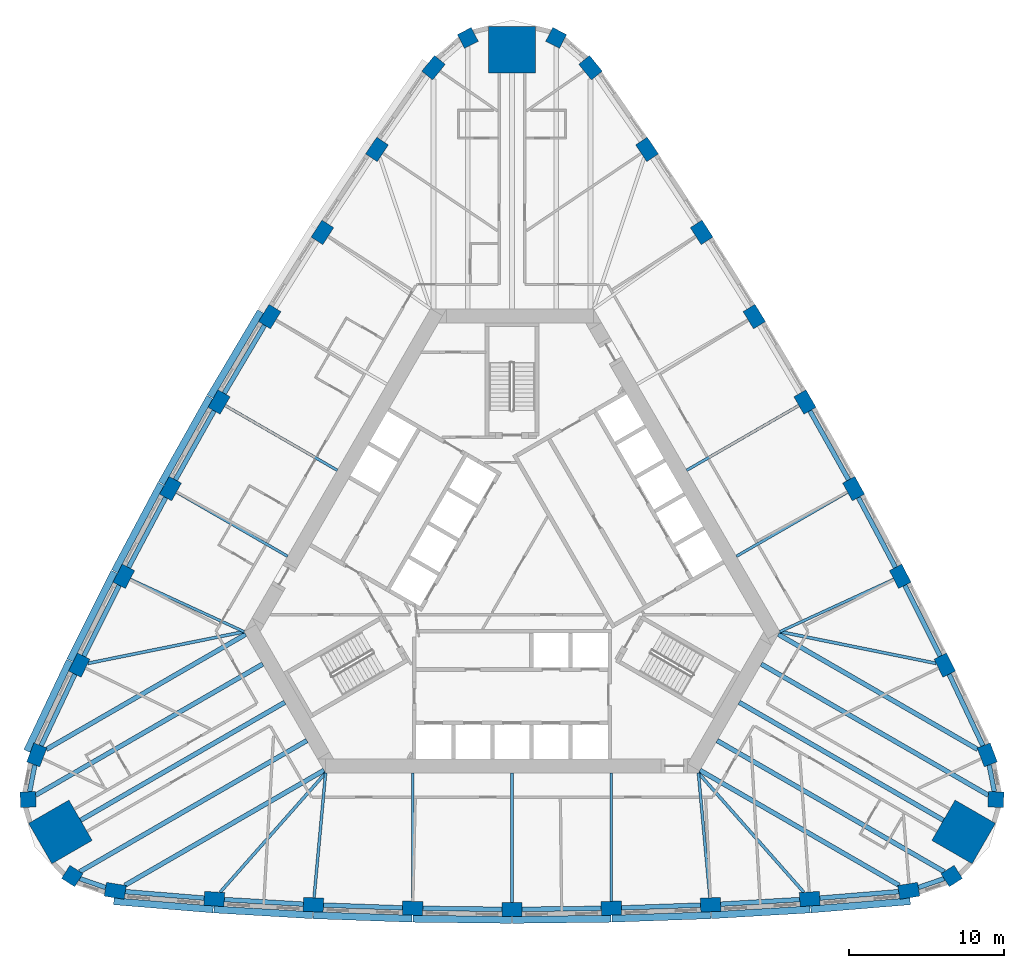
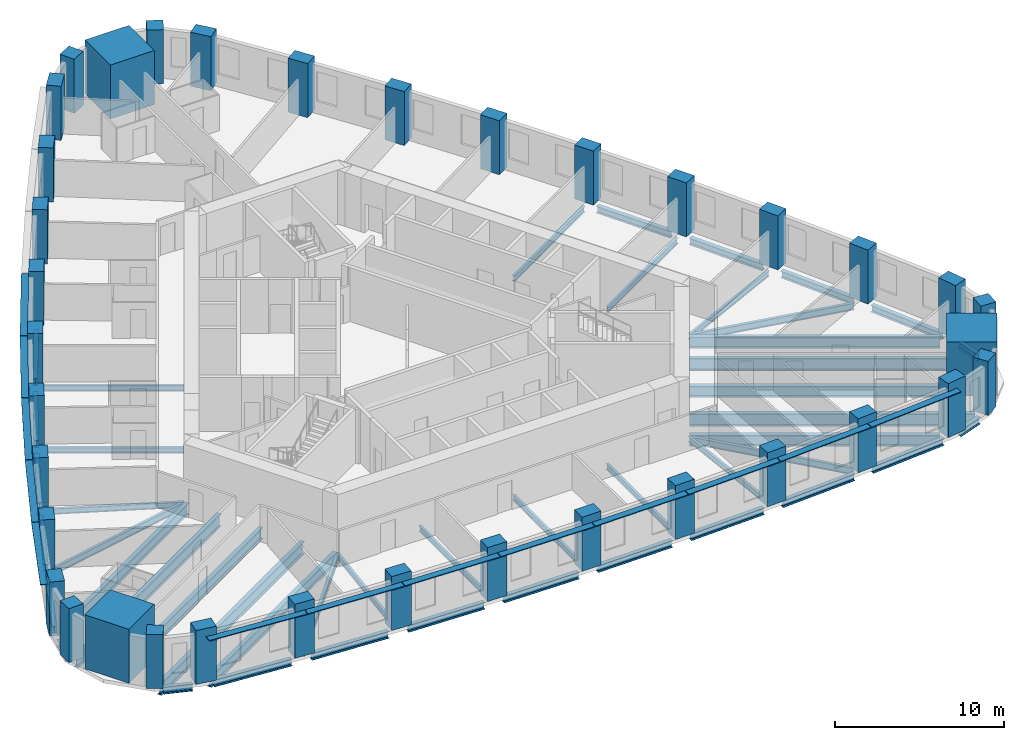
# One storey, part 1 of 12: 46 beams, 36 columns, 13 members.
"""IFC4 building model written with IfcOpenShell, lengths in metres."""

from ifc_helpers import new_model, si_unit, direction, frame, origin, origin_2d, place, context, subcontext, project, spatial, rectangle, i_section, extrude, material, material_profile, profile_set, type_object, element, save


model = new_model("IFC4")

# Units and contexts
model_context = context("Model", 3, precision=1e-05, world=origin(), true_north=direction((0.0, 1.0)))
body_context = subcontext(model_context, "Body", "Model", "MODEL_VIEW")
ifc_project = project(units=[si_unit("LENGTHUNIT", "METRE"), si_unit("AREAUNIT", "SQUARE_METRE"), si_unit("VOLUMEUNIT", "CUBIC_METRE"), si_unit("PLANEANGLEUNIT", "RADIAN"), si_unit("MASSUNIT", "GRAM", prefix="KILO")], contexts=[model_context])

# Site, building, storey
site_placement = place(None, origin())
site = spatial("IfcSite", under=ifc_project, at=site_placement, CompositionType="ELEMENT")
building_placement = place(site_placement, origin())
building = spatial("IfcBuilding", under=site, at=building_placement, Name="Mestral Congress Tower", CompositionType="ELEMENT")
storey_placement = place(building_placement, frame((0.0, 0.0, 130.5)))
storey = spatial("IfcBuildingStorey", under=building, at=storey_placement, Name="L31", CompositionType="ELEMENT", Elevation=130.5)

# Columns
ifc_material_1 = material(Name="Concrete C70/85", Category="concrete")
ifc_material_profile_1 = material_profile(ifc_material_1, rectangle(XDim=1.0, YDim=1.0, at=origin_2d()), Name="RC 1000x1000")
ifc_profile_set_1 = profile_set([ifc_material_profile_1], Name="Concrete C70/85")
column_type_1 = type_object("IfcColumnType", Name="Column RC 1000x1000 C70/85", PredefinedType="COLUMN", material=ifc_profile_set_1)
for number, where, z_axis, x_axis, name in (
    (1, (28.331298828125, -19.642822265625, 0.0), (0.0, 0.0, 1.0), (0.841700252504, 0.53994507585, 0.0), "COL-L31-C2-SE1"),
    (2, (31.1767578125, -14.714111328125, 0.0), (0.0, 0.0, 1.0), (0.046756026083, 0.998906338965, 0.0), "COL-L31-C2-SE3"),
    (3, (2.845703125, 34.35693359375, 0.0), (0.0, 0.0, 1.0), (-0.888456278587, 0.458961263115, 0.0), "COL-L31-C2-N1"),
    (4, (-2.845703125, 34.35693359375, 0.0), (0.0, 0.0, 1.0), (-0.888456278587, -0.458961263115, 0.0), "COL-L31-C2-N3"),
    (5, (-31.1767578125, -14.714111328125, 0.0), (0.0, 0.0, 1.0), (0.046756026083, -0.998906338965, 0.0), "COL-L31-C2-SW1"),
    (6, (-28.331298828125, -19.642822265625, 0.0), (0.0, 0.0, 1.0), (0.841700252504, -0.53994507585, 0.0), "COL-L31-C2-SW3"),
):
    element("IfcColumn", number, at=place(storey_placement, frame(where, z_axis=z_axis, x_axis=x_axis)), inside=storey, type_object=column_type_1, Name=name, PredefinedType="COLUMN", context=body_context, shape_type="SweptSolid", body=[
        extrude(rectangle(XDim=1.0, YDim=1.0, at=origin_2d()), origin(), (0.0, 0.0, 1.0), 3.89990234375),
    ])
ifc_material_profile_2 = material_profile(ifc_material_1, rectangle(XDim=1.300048828125, YDim=0.89990234375, at=origin_2d()), Name="RC 1300x900")
ifc_profile_set_2 = profile_set([ifc_material_profile_2], Name="Concrete C70/85")
column_type_2 = type_object("IfcColumnType", Name="Column RC 1300x900 C70/85", PredefinedType="COLUMN", material=ifc_profile_set_2)
for number, where, z_axis, x_axis, name in (
    (7, (-25.562744140625, -20.59716796875, 0.0), (0.0, 0.0, 1.0), (0.987202314361, -0.159472851987, 0.0), "COL-L31-C2-S00"),
    (8, (-19.184326171875, -21.120361328125, 0.0), (0.0, 0.0, 1.0), (0.997539884588, -0.07010120296, 0.0), "COL-L31-C2-S01"),
    (9, (-12.79541015625, -21.494384765625, 0.0), (0.0, 0.0, 1.0), (0.998906338965, -0.046756026083, 0.0), "COL-L31-C2-S02"),
    (10, (-6.3994140625, -21.71875, 0.0), (0.0, 0.0, 1.0), (0.99972656776, -0.023383535144, 0.0), "COL-L31-C2-S03"),
    (11, (0.0, -21.793701171875, 0.0), (0.0, 0.0, 1.0), (1.0, 0.0, 0.0), "COL-L31-C2-S04"),
    (12, (6.3994140625, -21.71875, 0.0), (0.0, 0.0, 1.0), (0.99972656776, 0.023383535144, 0.0), "COL-L31-C2-S05"),
    (13, (12.79541015625, -21.494384765625, 0.0), (0.0, 0.0, 1.0), (0.998906338965, 0.046756026083, 0.0), "COL-L31-C2-S06"),
    (14, (19.184326171875, -21.120361328125, 0.0), (0.0, 0.0, 1.0), (0.997539884588, 0.07010120296, 0.0), "COL-L31-C2-S07"),
    (15, (25.562744140625, -20.59716796875, 0.0), (0.0, 0.0, 1.0), (0.987202314361, 0.159472851987, 0.0), "COL-L31-C2-S08"),
    (16, (30.618896484375, -11.83935546875, 0.0), (0.0, 0.0, 1.0), (-0.355493616145, 0.934678708905, 0.0), "COL-L31-C2-E00"),
    (17, (27.8828125, -6.0537109375, 0.0), (0.0, 0.0, 1.0), (-0.438060519695, 0.898945482821, 0.0), "COL-L31-C2-E01"),
    (18, (25.01220703125, -0.333984375, 0.0), (0.0, 0.0, 1.0), (-0.458961263115, 0.888456278587, 0.0), "COL-L31-C2-E02"),
    (19, (22.0087890625, 5.3173828125, 0.0), (0.0, 0.0, 1.0), (-0.479612548415, 0.87748037209, 0.0), "COL-L31-C2-E03"),
    (20, (18.873779296875, 10.896728515625, 0.0), (0.0, 0.0, 1.0), (-0.5, 0.866025403784, 0.0), "COL-L31-C2-E04"),
    (21, (15.609375, 16.401611328125, 0.0), (0.0, 0.0, 1.0), (-0.520114019344, 0.854096836946, 0.0), "COL-L31-C2-E05"),
    (22, (12.217041015625, 21.828369140625, 0.0), (0.0, 0.0, 1.0), (-0.53994507585, 0.841700252504, 0.0), "COL-L31-C2-E06"),
    (23, (8.69873046875, 27.17431640625, 0.0), (0.0, 0.0, 1.0), (-0.559479364893, 0.828844279861, 0.0), "COL-L31-C2-E07"),
    (24, (5.056396484375, 32.4365234375, 0.0), (0.0, 0.0, 1.0), (-0.631708698215, 0.775205856918, 0.0), "COL-L31-C2-E08"),
    (25, (-5.056396484375, 32.4365234375, 0.0), (0.0, 0.0, 1.0), (-0.631708698215, -0.775205856918, 0.0), "COL-L31-C2-W00"),
    (26, (-8.69873046875, 27.17431640625, 0.0), (0.0, 0.0, 1.0), (-0.559479364893, -0.828844279861, 0.0), "COL-L31-C2-W01"),
    (27, (-12.217041015625, 21.828369140625, 0.0), (0.0, 0.0, 1.0), (-0.53994507585, -0.841700252504, 0.0), "COL-L31-C2-W02"),
    (28, (-15.609375, 16.401611328125, 0.0), (0.0, 0.0, 1.0), (-0.520114019344, -0.854096836946, 0.0), "COL-L31-C2-W03"),
    (29, (-18.873779296875, 10.896728515625, 0.0), (0.0, 0.0, 1.0), (-0.5, -0.866025403784, 0.0), "COL-L31-C2-W04"),
    (30, (-22.0087890625, 5.3173828125, 0.0), (0.0, 0.0, 1.0), (-0.479612548415, -0.87748037209, 0.0), "COL-L31-C2-W05"),
    (31, (-25.01220703125, -0.333984375, 0.0), (0.0, 0.0, 1.0), (-0.458961263115, -0.888456278587, 0.0), "COL-L31-C2-W06"),
    (32, (-27.8828125, -6.0537109375, 0.0), (0.0, 0.0, 1.0), (-0.438060519695, -0.898945482821, 0.0), "COL-L31-C2-W07"),
    (33, (-30.618896484375, -11.83935546875, 0.0), (0.0, 0.0, 1.0), (-0.355493616145, -0.934678708905, 0.0), "COL-L31-C2-W08"),
):
    element("IfcColumn", number, at=place(storey_placement, frame(where, z_axis=z_axis, x_axis=x_axis)), inside=storey, type_object=column_type_2, Name=name, PredefinedType="COLUMN", context=body_context, shape_type="SweptSolid", body=[
        extrude(rectangle(XDim=1.300048828125, YDim=0.89990234375, at=origin_2d()), origin(), (0.0, 0.0, 1.0), 3.89990234375),
    ])
ifc_material_2 = material(Name="Concrete C80/95", Category="concrete")
ifc_material_profile_3 = material_profile(ifc_material_2, rectangle(XDim=3.0, YDim=3.0, at=origin_2d()), Name="RC 3000x3000")
ifc_profile_set_3 = profile_set([ifc_material_profile_3], Name="Concrete C80/95")
column_type_3 = type_object("IfcColumnType", Name="Mega column RC 3000x3000 C80/95", PredefinedType="COLUMN", material=ifc_profile_set_3)
for number, where, z_axis, x_axis, name in (
    (34, (29.09716796875, -16.79931640625, 0.0), (0.0, 0.0, 1.0), (0.866025403784, -0.5, 0.0), "COL-L31-PY2-SE"),
    (35, (0.0, 33.598388671875, 0.0), (0.0, 0.0, 1.0), (0.0, 1.0, 0.0), "COL-L31-PY2-N"),
    (36, (-29.09716796875, -16.79931640625, 0.0), (0.0, 0.0, 1.0), (-0.866025403784, -0.5, 0.0), "COL-L31-PY2-SW"),
):
    element("IfcColumn", number, at=place(storey_placement, frame(where, z_axis=z_axis, x_axis=x_axis)), inside=storey, type_object=column_type_3, Name=name, PredefinedType="COLUMN", context=body_context, shape_type="SweptSolid", body=[
        extrude(rectangle(XDim=3.0, YDim=3.0, at=origin_2d()), origin(), (0.0, 0.0, 1.0), 3.89990234375),
    ])

# Members
ifc_material_3 = material(Name="Glazed ceramic", Category="masonry")
ifc_material_profile_4 = material_profile(ifc_material_3, rectangle(XDim=0.449951171875, YDim=0.06005859375, at=origin_2d()), Name="Ceramic blade 450 x 60")
ifc_profile_set_4 = profile_set([ifc_material_profile_4], Name="Glazed ceramic")
member_type = type_object("IfcMemberType", Name="Facade sunshade blade 450 x 60", PredefinedType="USERDEFINED", material=ifc_profile_set_4)
member_1_placement = place(storey_placement, frame((-25.654296875, -21.266845703125, 3.280029296875), z_axis=(0.996650616323, -0.081777435656, 0.0), x_axis=(0.081777435656, 0.996650616323, 0.0)))
element("IfcMember", 37, at=member_1_placement, inside=storey, type_object=member_type, Name="Sunshade F0-00", ObjectType="SUNSHADE", PredefinedType="USERDEFINED", context=body_context, shape_type="SweptSolid", body=[
    extrude(rectangle(XDim=0.449951171875, YDim=0.06005859375, at=origin_2d()), origin(), (0.0, 0.0, 1.0), 6.421630859375),
])
for number, where, z_axis, x_axis, name in (
    (38, (-19.208984375, -21.795166015625, 3.280029296875), (0.998292825409, -0.05840748871, 0.0), (0.05840748871, 0.998292825409, 0.0), "Sunshade F0-01"),
    (39, (-12.80419921875, -22.16943359375, 3.280029296875), (0.999384970229, -0.035066811664, 0.0), (0.035066811664, 0.999384970229, 0.0), "Sunshade F0-02"),
    (40, (-6.392578125, -22.393798828125, 3.280029296875), (0.999931231966, -0.011727375608, 0.0), (0.011727375608, 0.999931231966, 0.0), "Sunshade F0-03"),
    (41, (0.022705078125, -22.468505859375, 3.280029296875), (0.999931231966, 0.011727375608, 0.0), (-0.011727375608, 0.999931231966, 0.0), "Sunshade F0-04"),
    (42, (6.437744140625, -22.392822265625, 3.280029296875), (0.999384970229, 0.035066811664, 0.0), (-0.035066811664, 0.999384970229, 0.0), "Sunshade F0-05"),
    (43, (12.849609375, -22.167236328125, 3.280029296875), (0.998292825409, 0.05840748871, 0.0), (-0.05840748871, 0.998292825409, 0.0), "Sunshade F0-06"),
):
    element("IfcMember", number, at=place(storey_placement, frame(where, z_axis=z_axis, x_axis=x_axis)), inside=storey, type_object=member_type, Name=name, ObjectType="SUNSHADE", PredefinedType="USERDEFINED", context=body_context, shape_type="SweptSolid", body=[
        extrude(rectangle(XDim=0.449951171875, YDim=0.06005859375, at=origin_2d()), origin(), (0.0, 0.0, 1.0), 6.370361328125),
    ])
member_2_placement = place(storey_placement, frame((19.254150390625, -21.7919921875, 3.280029296875), z_axis=(0.996650616323, 0.081777435656, 0.0), x_axis=(-0.081777435656, 0.996650616323, 0.0)))
element("IfcMember", 44, at=member_2_placement, inside=storey, type_object=member_type, Name="Sunshade F0-07", ObjectType="SUNSHADE", PredefinedType="USERDEFINED", context=body_context, shape_type="SweptSolid", body=[
    extrude(rectangle(XDim=0.449951171875, YDim=0.06005859375, at=origin_2d()), origin(), (0.0, 0.0, 1.0), 6.421630859375),
])
for number, where, z_axis, x_axis, name in (
    (45, (-16.197509765625, 16.733154296875, 3.280029296875), (-0.510098606231, -0.86011592935, 0.0), (0.86011592935, -0.510098606231, 0.0), "Sunshade F2-03"),
    (46, (-19.469482421875, 11.214599609375, 3.280029296875), (-0.489860886888, -0.871800614531, 0.0), (0.871800614531, -0.489860886888, 0.0), "Sunshade F2-04"),
    (47, (-22.61181640625, 5.62109375, 3.280029296875), (-0.469318672425, -0.883028869128, 0.0), (0.883028869128, -0.469318672425, 0.0), "Sunshade F2-05"),
):
    element("IfcMember", number, at=place(storey_placement, frame(where, z_axis=z_axis, x_axis=x_axis)), inside=storey, type_object=member_type, Name=name, ObjectType="SUNSHADE", PredefinedType="USERDEFINED", context=body_context, shape_type="SweptSolid", body=[
        extrude(rectangle(XDim=0.449951171875, YDim=0.06005859375, at=origin_2d()), origin(), (0.0, 0.0, 1.0), 6.370361328125),
    ])
member_3_placement = place(storey_placement, frame((-25.622314453125, -0.04443359375, 3.280029296875), z_axis=(-0.448531530965, -0.893767008638, 0.0), x_axis=(0.893767008638, -0.448531530965, 0.0)))
element("IfcMember", 48, at=member_3_placement, inside=storey, type_object=member_type, Name="Sunshade F2-06", ObjectType="SUNSHADE", PredefinedType="USERDEFINED", context=body_context, shape_type="SweptSolid", body=[
    extrude(rectangle(XDim=0.449951171875, YDim=0.06005859375, at=origin_2d()), origin(), (0.0, 0.0, 1.0), 6.3701171875),
])
member_4_placement = place(storey_placement, frame((-28.49951171875, -5.778564453125, 3.280029296875), z_axis=(-0.427519164001, -0.904006285604, 0.0), x_axis=(0.904006285604, -0.427519164001, 0.0)))
element("IfcMember", 49, at=member_4_placement, inside=storey, type_object=member_type, Name="Sunshade F2-07", ObjectType="SUNSHADE", PredefinedType="USERDEFINED", context=body_context, shape_type="SweptSolid", body=[
    extrude(rectangle(XDim=0.449951171875, YDim=0.06005859375, at=origin_2d()), origin(), (0.0, 0.0, 1.0), 6.421630859375),
])

# Beams
ifc_material_4 = material(Name="Steel S355", Category="steel")
ifc_material_profile_5 = material_profile(ifc_material_4, i_section(OverallWidth=0.300048828125, OverallDepth=0.800048828125, WebThickness=0.017578125, FlangeThickness=0.032958984375, FilletRadius=0.030029296875, at=origin_2d()), Name="HEB 800")
ifc_profile_set_5 = profile_set([ifc_material_profile_5], Name="Steel S355")
beam_type_1 = type_object("IfcBeamType", Name="Floor beam HEB 800 S355", PredefinedType="BEAM", material=ifc_profile_set_5)
for number, where, z_axis, x_axis, name in (
    (50, (-24.94580078125, -20.240966796875, -0.64990234375), (0.866025146382, 0.500000445834, 0.0), (-0.500000445834, 0.866025146382, 0.0), "BM-L31-RB2-S00"),
    (51, (24.94580078125, -20.240966796875, -0.64990234375), (-0.866025146382, 0.500000445834, 0.0), (-0.500000445834, -0.866025146382, 0.0), "BM-L31-RB2-S08"),
):
    element("IfcBeam", number, at=place(storey_placement, frame(where, z_axis=z_axis, x_axis=x_axis)), inside=storey, type_object=beam_type_1, Name=name, PredefinedType="BEAM", context=body_context, shape_type="SweptSolid", body=[
        extrude(i_section(OverallWidth=0.300048828125, OverallDepth=0.800048828125, WebThickness=0.017578125, FlangeThickness=0.032958984375, FilletRadius=0.030029296875, at=origin_2d()), origin(), (0.0, 0.0, 1.0), 14.82421875),
    ])
beam_1_placement = place(storey_placement, frame((27.798095703125, -16.04931640625, -0.64990234375), z_axis=(-0.866023213189, 0.500003794204, 0.0), x_axis=(-0.500003794204, -0.866023213189, 0.0)))
element("IfcBeam", 52, at=beam_1_placement, inside=storey, type_object=beam_type_1, Name="BM-L31-RB2-SE", PredefinedType="BEAM", context=body_context, shape_type="SweptSolid", body=[
    extrude(i_section(OverallWidth=0.300048828125, OverallDepth=0.800048828125, WebThickness=0.017578125, FlangeThickness=0.032958984375, FilletRadius=0.030029296875, at=origin_2d()), origin(), (0.0, 0.0, 1.0), 15.19873046875),
])
for number, where, z_axis, x_axis, name in (
    (53, (30.002197265625, -11.483154296875, -0.64990234375), (-0.866025146382, 0.500000445834, 0.0), (-0.500000445834, -0.866025146382, 0.0), "BM-L31-RB2-E00"),
    (54, (-30.002197265625, -11.483154296875, -0.64990234375), (0.866025146382, 0.500000445834, 0.0), (-0.500000445834, 0.866025146382, 0.0), "BM-L31-RB2-W08"),
):
    element("IfcBeam", number, at=place(storey_placement, frame(where, z_axis=z_axis, x_axis=x_axis)), inside=storey, type_object=beam_type_1, Name=name, PredefinedType="BEAM", context=body_context, shape_type="SweptSolid", body=[
        extrude(i_section(OverallWidth=0.300048828125, OverallDepth=0.800048828125, WebThickness=0.017578125, FlangeThickness=0.032958984375, FilletRadius=0.030029296875, at=origin_2d()), origin(), (0.0, 0.0, 1.0), 14.82421875),
    ])
beam_2_placement = place(storey_placement, frame((-27.798095703125, -16.04931640625, -0.64990234375), z_axis=(0.866023213189, 0.500003794204, 0.0), x_axis=(-0.500003794204, 0.866023213189, 0.0)))
element("IfcBeam", 55, at=beam_2_placement, inside=storey, type_object=beam_type_1, Name="BM-L31-RB2-SW", PredefinedType="BEAM", context=body_context, shape_type="SweptSolid", body=[
    extrude(i_section(OverallWidth=0.300048828125, OverallDepth=0.800048828125, WebThickness=0.017578125, FlangeThickness=0.032958984375, FilletRadius=0.030029296875, at=origin_2d()), origin(), (0.0, 0.0, 1.0), 15.19873046875),
])
ifc_material_profile_6 = material_profile(ifc_material_4, i_section(OverallWidth=0.300048828125, OverallDepth=0.89990234375, WebThickness=0.0185546875, FlangeThickness=0.034912109375, FilletRadius=0.030029296875, at=origin_2d()), Name="HEB 900")
ifc_profile_set_6 = profile_set([ifc_material_profile_6], Name="Steel S355")
beam_type_2 = type_object("IfcBeamType", Name="Floor beam HEB 900 S355", PredefinedType="BEAM", material=ifc_profile_set_6)
beam_3_placement = place(storey_placement, frame((27.84375, -19.361328125, -0.699951171875), z_axis=(-0.866024587677, 0.500001413537, 0.0), x_axis=(-0.500001413537, -0.866024587677, 0.0)))
element("IfcBeam", 56, at=beam_3_placement, inside=storey, type_object=beam_type_2, Name="BM-L31-RB2-SE1", PredefinedType="BEAM", context=body_context, shape_type="SweptSolid", body=[
    extrude(i_section(OverallWidth=0.300048828125, OverallDepth=0.89990234375, WebThickness=0.0185546875, FlangeThickness=0.034912109375, FilletRadius=0.030029296875, at=origin_2d()), origin(), (0.0, 0.0, 1.0), 16.89404296875),
])
for number, where, z_axis, x_axis, name in (
    (57, (30.689453125, -14.4326171875, -0.699951171875), (-0.866028200461, 0.499995155983, 0.0), (-0.499995155983, -0.866028200461, 0.0), "BM-L31-RB2-SE3"),
    (58, (-30.689453125, -14.4326171875, -0.699951171875), (0.866028200461, 0.499995155983, 0.0), (-0.499995155983, 0.866028200461, 0.0), "BM-L31-RB2-SW1"),
):
    element("IfcBeam", number, at=place(storey_placement, frame(where, z_axis=z_axis, x_axis=x_axis)), inside=storey, type_object=beam_type_2, Name=name, PredefinedType="BEAM", context=body_context, shape_type="SweptSolid", body=[
        extrude(i_section(OverallWidth=0.300048828125, OverallDepth=0.89990234375, WebThickness=0.0185546875, FlangeThickness=0.034912109375, FilletRadius=0.030029296875, at=origin_2d()), origin(), (0.0, 0.0, 1.0), 16.894287109375),
    ])
beam_4_placement = place(storey_placement, frame((-27.84375, -19.361328125, -0.699951171875), z_axis=(0.866024587677, 0.500001413537, 0.0), x_axis=(-0.500001413537, 0.866024587677, 0.0)))
element("IfcBeam", 59, at=beam_4_placement, inside=storey, type_object=beam_type_2, Name="BM-L31-RB2-SW3", PredefinedType="BEAM", context=body_context, shape_type="SweptSolid", body=[
    extrude(i_section(OverallWidth=0.300048828125, OverallDepth=0.89990234375, WebThickness=0.0185546875, FlangeThickness=0.034912109375, FilletRadius=0.030029296875, at=origin_2d()), origin(), (0.0, 0.0, 1.0), 16.89404296875),
])
ifc_material_profile_7 = material_profile(ifc_material_4, i_section(OverallWidth=0.179931640625, OverallDepth=0.39990234375, WebThickness=0.008544921875, FlangeThickness=0.013427734375, FilletRadius=0.02099609375, at=origin_2d()), Name="IPE 400")
ifc_profile_set_7 = profile_set([ifc_material_profile_7], Name="Steel S355")
beam_type_3 = type_object("IfcBeamType", Name="Floor beam IPE 400 S355", PredefinedType="BEAM", material=ifc_profile_set_7)
beam_5_placement = place(storey_placement, frame((-12.753662109375, -21.0458984375, -0.449951171875), z_axis=(0.092183786594, 0.995742009503, 0.0), x_axis=(-0.995742009503, 0.092183786594, 0.0)))
element("IfcBeam", 60, at=beam_5_placement, inside=storey, type_object=beam_type_3, Name="BM-L31-RB2-S02", PredefinedType="BEAM", context=body_context, shape_type="SweptSolid", body=[
    extrude(i_section(OverallWidth=0.179931640625, OverallDepth=0.39990234375, WebThickness=0.008544921875, FlangeThickness=0.013427734375, FilletRadius=0.02099609375, at=origin_2d()), origin(), (0.0, 0.0, 1.0), 8.080322265625),
])
beam_6_placement = place(storey_placement, frame((-6.3994140625, -21.268798828125, -0.449951171875), z_axis=(0.0, 1.0, 0.0), x_axis=(-1.0, 0.0, 0.0)))
element("IfcBeam", 61, at=beam_6_placement, inside=storey, type_object=beam_type_3, Name="BM-L31-RB2-S03", PredefinedType="BEAM", context=body_context, shape_type="SweptSolid", body=[
    extrude(i_section(OverallWidth=0.179931640625, OverallDepth=0.39990234375, WebThickness=0.008544921875, FlangeThickness=0.013427734375, FilletRadius=0.02099609375, at=origin_2d()), origin(), (0.0, 0.0, 1.0), 8.268798828125),
])
beam_7_placement = place(storey_placement, frame((0.0, -21.343505859375, -0.449951171875), z_axis=(0.0, 1.0, 0.0), x_axis=(-1.0, 0.0, 0.0)))
element("IfcBeam", 62, at=beam_7_placement, inside=storey, type_object=beam_type_3, Name="BM-L31-RB2-S04", PredefinedType="BEAM", context=body_context, shape_type="SweptSolid", body=[
    extrude(i_section(OverallWidth=0.179931640625, OverallDepth=0.39990234375, WebThickness=0.008544921875, FlangeThickness=0.013427734375, FilletRadius=0.02099609375, at=origin_2d()), origin(), (0.0, 0.0, 1.0), 8.343505859375),
])
beam_8_placement = place(storey_placement, frame((6.3994140625, -21.268798828125, -0.449951171875), z_axis=(0.0, 1.0, 0.0), x_axis=(-1.0, 0.0, 0.0)))
element("IfcBeam", 63, at=beam_8_placement, inside=storey, type_object=beam_type_3, Name="BM-L31-RB2-S05", PredefinedType="BEAM", context=body_context, shape_type="SweptSolid", body=[
    extrude(i_section(OverallWidth=0.179931640625, OverallDepth=0.39990234375, WebThickness=0.008544921875, FlangeThickness=0.013427734375, FilletRadius=0.02099609375, at=origin_2d()), origin(), (0.0, 0.0, 1.0), 8.268798828125),
])
beam_9_placement = place(storey_placement, frame((12.753662109375, -21.0458984375, -0.449951171875), z_axis=(-0.092183786594, 0.995742009503, 0.0), x_axis=(-0.995742009503, -0.092183786594, 0.0)))
element("IfcBeam", 64, at=beam_9_placement, inside=storey, type_object=beam_type_3, Name="BM-L31-RB2-S06", PredefinedType="BEAM", context=body_context, shape_type="SweptSolid", body=[
    extrude(i_section(OverallWidth=0.179931640625, OverallDepth=0.39990234375, WebThickness=0.008544921875, FlangeThickness=0.013427734375, FilletRadius=0.02099609375, at=origin_2d()), origin(), (0.0, 0.0, 1.0), 8.080322265625),
])
beam_10_placement = place(storey_placement, frame((24.60302734375, -0.522216796875, -0.449951171875), z_axis=(-0.908437217841, -0.418021316731, 0.0), x_axis=(0.418021316731, -0.908437217841, 0.0)))
element("IfcBeam", 65, at=beam_10_placement, inside=storey, type_object=beam_type_3, Name="BM-L31-RB2-E02", PredefinedType="BEAM", context=body_context, shape_type="SweptSolid", body=[
    extrude(i_section(OverallWidth=0.179931640625, OverallDepth=0.39990234375, WebThickness=0.008544921875, FlangeThickness=0.013427734375, FilletRadius=0.02099609375, at=origin_2d()), origin(), (0.0, 0.0, 1.0), 8.080078125),
])
beam_11_placement = place(storey_placement, frame((21.618896484375, 5.09228515625, -0.449951171875), z_axis=(-0.866028737439, -0.499994225897, 0.0), x_axis=(0.499994225897, -0.866028737439, 0.0)))
element("IfcBeam", 66, at=beam_11_placement, inside=storey, type_object=beam_type_3, Name="BM-L31-RB2-E03", PredefinedType="BEAM", context=body_context, shape_type="SweptSolid", body=[
    extrude(i_section(OverallWidth=0.179931640625, OverallDepth=0.39990234375, WebThickness=0.008544921875, FlangeThickness=0.013427734375, FilletRadius=0.02099609375, at=origin_2d()), origin(), (0.0, 0.0, 1.0), 8.2685546875),
])
for number, where, z_axis, x_axis, name in (
    (67, (18.484130859375, 10.671875, -0.449951171875), (-0.86602332482, -0.500003600855, 0.0), (0.500003600855, -0.86602332482, 0.0), "BM-L31-RB2-E04"),
    (68, (-18.484130859375, 10.671875, -0.449951171875), (0.86602332482, -0.500003600855, 0.0), (0.500003600855, 0.86602332482, 0.0), "BM-L31-RB2-W04"),
):
    element("IfcBeam", number, at=place(storey_placement, frame(where, z_axis=z_axis, x_axis=x_axis)), inside=storey, type_object=beam_type_3, Name=name, PredefinedType="BEAM", context=body_context, shape_type="SweptSolid", body=[
        extrude(i_section(OverallWidth=0.179931640625, OverallDepth=0.39990234375, WebThickness=0.008544921875, FlangeThickness=0.013427734375, FilletRadius=0.02099609375, at=origin_2d()), origin(), (0.0, 0.0, 1.0), 8.34375),
    ])
beam_12_placement = place(storey_placement, frame((-21.618896484375, 5.09228515625, -0.449951171875), z_axis=(0.866028737439, -0.499994225897, 0.0), x_axis=(0.499994225897, 0.866028737439, 0.0)))
element("IfcBeam", 69, at=beam_12_placement, inside=storey, type_object=beam_type_3, Name="BM-L31-RB2-W05", PredefinedType="BEAM", context=body_context, shape_type="SweptSolid", body=[
    extrude(i_section(OverallWidth=0.179931640625, OverallDepth=0.39990234375, WebThickness=0.008544921875, FlangeThickness=0.013427734375, FilletRadius=0.02099609375, at=origin_2d()), origin(), (0.0, 0.0, 1.0), 8.2685546875),
])
beam_13_placement = place(storey_placement, frame((-24.60302734375, -0.522216796875, -0.449951171875), z_axis=(0.908437217841, -0.418021316731, 0.0), x_axis=(0.418021316731, 0.908437217841, 0.0)))
element("IfcBeam", 70, at=beam_13_placement, inside=storey, type_object=beam_type_3, Name="BM-L31-RB2-W06", PredefinedType="BEAM", context=body_context, shape_type="SweptSolid", body=[
    extrude(i_section(OverallWidth=0.179931640625, OverallDepth=0.39990234375, WebThickness=0.008544921875, FlangeThickness=0.013427734375, FilletRadius=0.02099609375, at=origin_2d()), origin(), (0.0, 0.0, 1.0), 8.080078125),
])
ifc_material_profile_8 = material_profile(ifc_material_4, i_section(OverallWidth=0.199951171875, OverallDepth=0.5, WebThickness=0.01025390625, FlangeThickness=0.01611328125, FilletRadius=0.02099609375, at=origin_2d()), Name="IPE 500")
ifc_profile_set_8 = profile_set([ifc_material_profile_8], Name="Steel S355")
beam_type_4 = type_object("IfcBeamType", Name="Floor beam IPE 500 S355", PredefinedType="BEAM", material=ifc_profile_set_8)
for number, where, z_axis, x_axis, name in (
    (71, (-18.80908203125, -20.695556640625, -0.5), (0.662174203587, 0.749349934346, 0.0), (-0.749349934346, 0.662174203587, 0.0), "BM-L31-RB2-S01"),
    (72, (18.80908203125, -20.695556640625, -0.5), (-0.662174203587, 0.749349934346, 0.0), (-0.749349934346, -0.662174203587, 0.0), "BM-L31-RB2-S07"),
    (73, (27.327392578125, -5.941162109375, -0.5), (-0.980046767137, 0.198767035052, 0.0), (-0.198767035052, -0.980046767137, 0.0), "BM-L31-RB2-E01"),
    (74, (-27.327392578125, -5.941162109375, -0.5), (0.980046767137, 0.198767035052, 0.0), (-0.198767035052, 0.980046767137, 0.0), "BM-L31-RB2-W07"),
):
    element("IfcBeam", number, at=place(storey_placement, frame(where, z_axis=z_axis, x_axis=x_axis)), inside=storey, type_object=beam_type_4, Name=name, PredefinedType="BEAM", context=body_context, shape_type="SweptSolid", body=[
        extrude(i_section(OverallWidth=0.199951171875, OverallDepth=0.5, WebThickness=0.01025390625, FlangeThickness=0.01611328125, FilletRadius=0.02099609375, at=origin_2d()), origin(), (0.0, 0.0, 1.0), 10.26953125),
    ])
ifc_material_profile_9 = material_profile(ifc_material_4, i_section(OverallWidth=0.300048828125, OverallDepth=0.489990234375, WebThickness=0.011962890625, FlangeThickness=0.02294921875, FilletRadius=0.027099609375, at=origin_2d()), Name="HEA 500")
ifc_profile_set_9 = profile_set([ifc_material_profile_9], Name="Steel S355")
beam_type_5 = type_object("IfcBeamType", Name="Spandrel beam HEA 500 S355", PredefinedType="BEAM", material=ifc_profile_set_9)
beam_14_placement = place(storey_placement, frame((-24.912841796875, -20.650390625, -0.4951171875), z_axis=(0.996652597162, -0.081753290887, 0.0), x_axis=(0.081753290887, 0.996652597162, 0.0)))
element("IfcBeam", 75, at=beam_14_placement, inside=storey, type_object=beam_type_5, Name="SP-L31-SB2-S00", PredefinedType="BEAM", context=body_context, shape_type="SweptSolid", body=[
    extrude(i_section(OverallWidth=0.300048828125, OverallDepth=0.489990234375, WebThickness=0.011962890625, FlangeThickness=0.02294921875, FilletRadius=0.027099609375, at=origin_2d()), origin(), (0.0, 0.0, 1.0), 5.09765625),
])
for number, where, z_axis, x_axis, name in (
    (76, (-18.535400390625, -21.158447265625, -0.4951171875), (0.998292976718, -0.058404902489, 0.0), (0.058404902489, 0.998292976718, 0.0), "SP-L31-SB2-S01"),
    (77, (-12.145751953125, -21.51708984375, -0.4951171875), (0.999384139945, -0.035090466305, 0.0), (0.035090466305, 0.999384139945, 0.0), "SP-L31-SB2-S02"),
    (78, (-5.74951171875, -21.726318359375, -0.4951171875), (0.999931780034, -0.011680551241, 0.0), (0.011680551241, 0.999931780034, 0.0), "SP-L31-SB2-S03"),
    (79, (0.64990234375, -21.785888671875, -0.4951171875), (0.999931780034, 0.011680551241, 0.0), (-0.011680551241, 0.999931780034, 0.0), "SP-L31-SB2-S04"),
    (80, (7.049072265625, -21.696044921875, -0.4951171875), (0.999384139945, 0.035090466305, 0.0), (-0.035090466305, 0.999384139945, 0.0), "SP-L31-SB2-S05"),
    (81, (13.4443359375, -21.456298828125, -0.4951171875), (0.998292976718, 0.058404902489, 0.0), (-0.058404902489, 0.998292976718, 0.0), "SP-L31-SB2-S06"),
):
    element("IfcBeam", number, at=place(storey_placement, frame(where, z_axis=z_axis, x_axis=x_axis)), inside=storey, type_object=beam_type_5, Name=name, PredefinedType="BEAM", context=body_context, shape_type="SweptSolid", body=[
        extrude(i_section(OverallWidth=0.300048828125, OverallDepth=0.489990234375, WebThickness=0.011962890625, FlangeThickness=0.02294921875, FilletRadius=0.027099609375, at=origin_2d()), origin(), (0.0, 0.0, 1.0), 5.099853515625),
    ])
beam_15_placement = place(storey_placement, frame((19.832275390625, -21.067138671875, -0.4951171875), z_axis=(0.996652597162, 0.081753290887, 0.0), x_axis=(-0.081753290887, 0.996652597162, 0.0)))
element("IfcBeam", 82, at=beam_15_placement, inside=storey, type_object=beam_type_5, Name="SP-L31-SB2-S07", PredefinedType="BEAM", context=body_context, shape_type="SweptSolid", body=[
    extrude(i_section(OverallWidth=0.300048828125, OverallDepth=0.489990234375, WebThickness=0.011962890625, FlangeThickness=0.02294921875, FilletRadius=0.027099609375, at=origin_2d()), origin(), (0.0, 0.0, 1.0), 5.09765625),
])
for number, where, z_axis, x_axis, name in (
    (83, (26.186279296875, -20.382080078125, -0.4951171875), (0.945433605893, 0.325814819873, 0.0), (-0.325814819873, 0.945433605893, 0.0), "SP-L31-SB2-S08"),
    (84, (31.078857421875, -14.208984375, -0.4951171875), (-0.190545536928, 0.981678357894, 0.0), (-0.981678357894, -0.190545536928, 0.0), "SP-L31-SB2-SE3"),
):
    element("IfcBeam", number, at=place(storey_placement, frame(where, z_axis=z_axis, x_axis=x_axis)), inside=storey, type_object=beam_type_5, Name=name, PredefinedType="BEAM", context=body_context, shape_type="SweptSolid", body=[
        extrude(i_section(OverallWidth=0.300048828125, OverallDepth=0.489990234375, WebThickness=0.011962890625, FlangeThickness=0.02294921875, FilletRadius=0.027099609375, at=origin_2d()), origin(), (0.0, 0.0, 1.0), 1.754150390625),
    ])
beam_16_placement = place(storey_placement, frame((30.34033203125, -11.25, -0.4951171875), z_axis=(-0.427509849729, 0.904010690415, 0.0), x_axis=(-0.904010690415, -0.427509849729, 0.0)))
element("IfcBeam", 85, at=beam_16_placement, inside=storey, type_object=beam_type_5, Name="SP-L31-SB2-E00", PredefinedType="BEAM", context=body_context, shape_type="SweptSolid", body=[
    extrude(i_section(OverallWidth=0.300048828125, OverallDepth=0.489990234375, WebThickness=0.011962890625, FlangeThickness=0.02294921875, FilletRadius=0.027099609375, at=origin_2d()), origin(), (0.0, 0.0, 1.0), 5.097900390625),
])
for number, where, z_axis, x_axis, name in (
    (86, (27.59130859375, -5.472900390625, -0.4951171875), (-0.448515247182, 0.89377518037, 0.0), (-0.89377518037, -0.448515247182, 0.0), "SP-L31-SB2-E01"),
    (87, (24.707275390625, 0.239990234375, -0.4951171875), (-0.469288226496, 0.883045050081, 0.0), (-0.883045050081, -0.469288226496, 0.0), "SP-L31-SB2-E02"),
    (88, (21.6904296875, 5.884033203125, -0.4951171875), (-0.489836148985, 0.871814514187, 0.0), (-0.871814514187, -0.489836148985, 0.0), "SP-L31-SB2-E03"),
    (89, (-15.94091796875, 15.84228515625, -0.4951171875), (-0.510081870963, -0.860125854114, 0.0), (0.860125854114, -0.510081870963, 0.0), "SP-L31-SB2-W03"),
    (90, (-19.1923828125, 10.330078125, -0.4951171875), (-0.489836148985, -0.871814514187, 0.0), (0.871814514187, -0.489836148985, 0.0), "SP-L31-SB2-W04"),
    (91, (-22.31396484375, 4.743408203125, -0.4951171875), (-0.469288226496, -0.883045050081, 0.0), (0.883045050081, -0.469288226496, 0.0), "SP-L31-SB2-W05"),
    (92, (-25.303955078125, -0.914794921875, -0.4951171875), (-0.448515247182, -0.89377518037, 0.0), (0.89377518037, -0.448515247182, 0.0), "SP-L31-SB2-W06"),
):
    element("IfcBeam", number, at=place(storey_placement, frame(where, z_axis=z_axis, x_axis=x_axis)), inside=storey, type_object=beam_type_5, Name=name, PredefinedType="BEAM", context=body_context, shape_type="SweptSolid", body=[
        extrude(i_section(OverallWidth=0.300048828125, OverallDepth=0.489990234375, WebThickness=0.011962890625, FlangeThickness=0.02294921875, FilletRadius=0.027099609375, at=origin_2d()), origin(), (0.0, 0.0, 1.0), 5.099853515625),
    ])
beam_17_placement = place(storey_placement, frame((-28.160888671875, -6.641357421875, -0.4951171875), z_axis=(-0.427509849729, -0.904010690415, 0.0), x_axis=(0.904010690415, -0.427509849729, 0.0)))
element("IfcBeam", 93, at=beam_17_placement, inside=storey, type_object=beam_type_5, Name="SP-L31-SB2-W07", PredefinedType="BEAM", context=body_context, shape_type="SweptSolid", body=[
    extrude(i_section(OverallWidth=0.300048828125, OverallDepth=0.489990234375, WebThickness=0.011962890625, FlangeThickness=0.02294921875, FilletRadius=0.027099609375, at=origin_2d()), origin(), (0.0, 0.0, 1.0), 5.097900390625),
])
for number, where, z_axis, x_axis, name in (
    (94, (-30.74462890625, -12.487060546875, -0.4951171875), (-0.190545536928, -0.981678357894, 0.0), (0.981678357894, -0.190545536928, 0.0), "SP-L31-SB2-W08"),
    (95, (-27.8447265625, -19.810546875, -0.4951171875), (0.945433605893, -0.325814819873, 0.0), (0.325814819873, 0.945433605893, 0.0), "SP-L31-SB2-SW3"),
):
    element("IfcBeam", number, at=place(storey_placement, frame(where, z_axis=z_axis, x_axis=x_axis)), inside=storey, type_object=beam_type_5, Name=name, PredefinedType="BEAM", context=body_context, shape_type="SweptSolid", body=[
        extrude(i_section(OverallWidth=0.300048828125, OverallDepth=0.489990234375, WebThickness=0.011962890625, FlangeThickness=0.02294921875, FilletRadius=0.027099609375, at=origin_2d()), origin(), (0.0, 0.0, 1.0), 1.754150390625),
    ])

save(model, "model.ifc")
